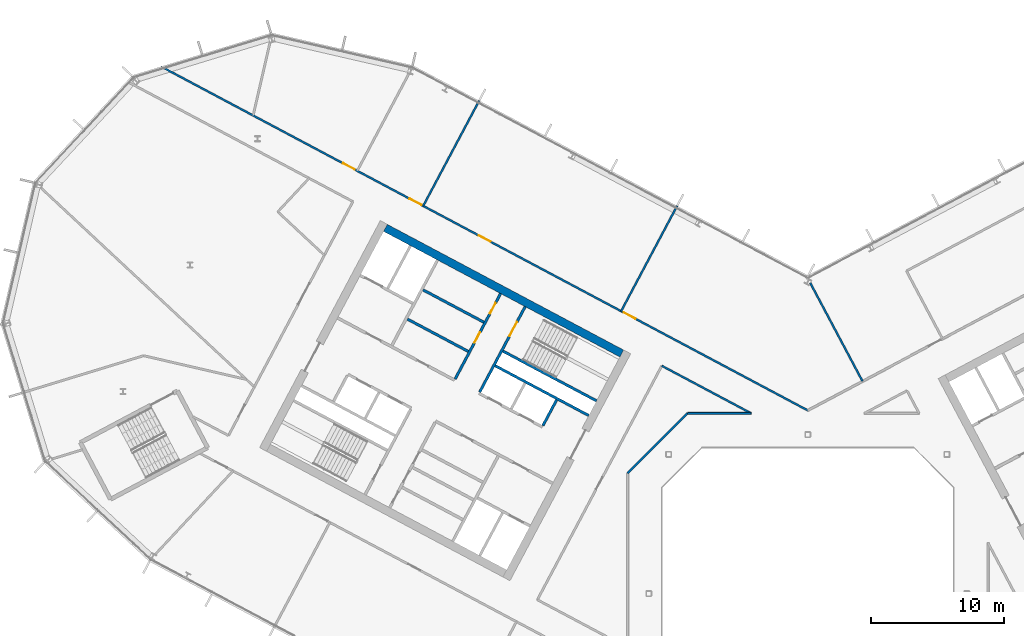
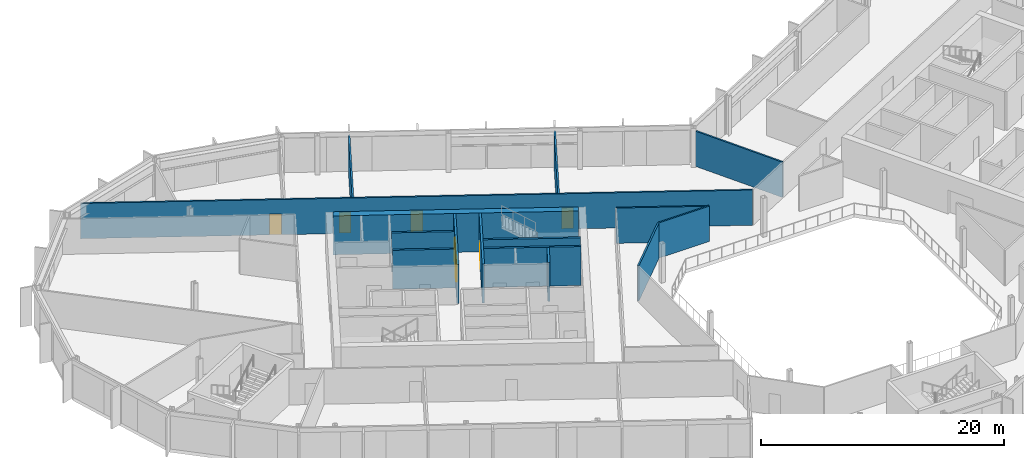
# One storey, part 15 of 27: 15 walls, 7 doors, 7 openings.
"""IFC4 building model written with IfcOpenShell, lengths in metres."""

from ifc_helpers import new_model, si_unit, direction, frame, frame_2d, origin, place, context, subcontext, project, spatial, rectangle, extrude, material, layer, layer_set, type_object, element, fill, save


model = new_model("IFC4")

# Units and contexts
model_context = context("Model", 3, precision=1e-05, world=origin(), true_north=direction((0.0, 1.0)))
body_context = subcontext(model_context, "Body", "Model", "MODEL_VIEW")
ifc_project = project(units=[si_unit("LENGTHUNIT", "METRE"), si_unit("AREAUNIT", "SQUARE_METRE"), si_unit("VOLUMEUNIT", "CUBIC_METRE"), si_unit("PLANEANGLEUNIT", "RADIAN"), si_unit("MASSUNIT", "GRAM", prefix="KILO")], contexts=[model_context])

# Site, building, storey
site_placement = place(None, origin())
site = spatial("IfcSite", under=ifc_project, at=site_placement, CompositionType="ELEMENT")
building_placement = place(site_placement, origin())
building = spatial("IfcBuilding", under=site, at=building_placement, Name="Cormorant Relay Tower", CompositionType="ELEMENT")
storey_placement = place(building_placement, frame((0.0, 0.0, 232.5)))
storey = spatial("IfcBuildingStorey", under=building, at=storey_placement, Name="L51", CompositionType="ELEMENT", Elevation=232.5)

# Walls
ifc_material_1 = material(Name="Concrete 40 MPa", Category="concrete")
ifc_layer_1 = layer(ifc_material_1, 0.199951171875)
ifc_layer_set_1 = layer_set([ifc_layer_1], Name="Core internal wall 200")
wall_type_1 = type_object("IfcWallType", Name="Core internal wall 200", PredefinedType="SOLIDWALL", material=ifc_layer_set_1)
wall_1_placement = place(storey_placement, frame((-24.449462890625, 20.474853515625, 0.0), z_axis=(0.0, 0.0, 1.0), x_axis=(-0.882934506056, 0.469496174655, 0.0)))
element("IfcWall", 1, at=wall_1_placement, inside=storey, type_object=wall_type_1, Name="L51 core A shaft and room wall", PredefinedType="SOLIDWALL", context=body_context, shape_type="SweptSolid", body=[
    extrude(rectangle(XDim=5.199951171875, YDim=0.199951171875, at=frame_2d((2.60009765625, 0.0))), origin(), (0.0, 0.0, 1.0), 3.89990234375),
])
ifc_material_2 = material(Name="Concrete 50 MPa", Category="concrete")
ifc_layer_2 = layer(ifc_material_2, 0.199951171875)
ifc_layer_set_2 = layer_set([ifc_layer_2], Name="Core shaft wall 200")
wall_type_2 = type_object("IfcWallType", Name="Core shaft wall 200", PredefinedType="SHEAR", material=ifc_layer_set_2)
wall_2_placement = place(storey_placement, frame((-18.959716796875, 14.611328125, 0.0), z_axis=(0.0, 0.0, 1.0), x_axis=(-0.4694473164, -0.882960484464, 0.0)))
element("IfcWall", 2, at=wall_2_placement, inside=storey, type_object=wall_type_2, Name="L51 core A shaft wall", PredefinedType="SHEAR", context=body_context, shape_type="SweptSolid", body=[
    extrude(rectangle(XDim=2.199951171875, YDim=0.199951171875, at=frame_2d((1.10009765625, 0.0))), origin(), (0.0, 0.0, 1.0), 3.89990234375),
])

# Wall, opening, door
wall_3_placement = place(storey_placement, frame((-21.333251953125, 21.6494140625, 0.0), z_axis=(0.0, 0.0, 1.0), x_axis=(-0.469494272526, -0.882935517501, 0.0)))
wall_3 = element("IfcWall", 3, at=wall_3_placement, inside=storey, type_object=wall_type_2, Name="L51 core A shaft wall", PredefinedType="SHEAR", context=body_context, shape_type="SweptSolid", body=[
    extrude(rectangle(XDim=7.2998046875, YDim=0.199951171875, at=frame_2d((3.64990234375, 0.0))), origin(), (0.0, 0.0, 1.0), 3.89990234375),
])
opening_1_placement = place(wall_3_placement, frame((1.300048828125, 0.0, 0.0)))
opening_1 = element("IfcOpeningElement", 4, at=opening_1_placement, cuts=wall_3, Name="Opening CDB-038", PredefinedType="OPENING", context=body_context, shape_type="SweptSolid", body=[
    extrude(rectangle(XDim=1.199951171875, YDim=2.10009765625, at=frame_2d((0.60009765625, 1.050048828125))), frame((0.0, 0.10986328125, 0.0), z_axis=(0.0, -1.0, 0.0), x_axis=(1.0, 0.0, 0.0)), (0.0, 0.0, 1.0), 0.219970703125),
])
ifc_material_3 = material(Name="Steel fire door", Category="steel")
door_type_1 = type_object("IfcDoorType", Name="Core stair door 1200x2100", OperationType="SINGLE_SWING_LEFT", PredefinedType="DOOR", material=ifc_material_3)
door_1_placement = place(opening_1_placement, origin())
door_1 = element("IfcDoor", 5, at=door_1_placement, inside=storey, type_object=door_type_1, Name="Core stair door 1200x2100", OperationType="SINGLE_SWING_RIGHT", OverallHeight=2.10009765625, OverallWidth=1.199951171875, PredefinedType="DOOR", context=body_context, shape_type="SweptSolid", body=[
    extrude(rectangle(XDim=1.199951171875, YDim=2.10009765625, at=frame_2d((0.60009765625, 1.050048828125))), frame((0.0, 0.02490234375, 0.0), z_axis=(0.0, -1.0, 0.0), x_axis=(1.0, 0.0, 0.0)), (0.0, 0.0, 1.0), 0.050048828125),
])
fill(opening_1, door_1)

# Wall, openings, doors
wall_4_placement = place(storey_placement, frame((-23.1875, 22.635498046875, 0.0), z_axis=(0.0, 0.0, 1.0), x_axis=(-0.469454336211, -0.882956752176, 0.0)))
wall_4 = element("IfcWall", 6, at=wall_4_placement, inside=storey, type_object=wall_type_2, Name="L51 core A shaft wall", PredefinedType="SHEAR", context=body_context, shape_type="SweptSolid", body=[
    extrude(rectangle(XDim=7.300048828125, YDim=0.199951171875, at=frame_2d((3.64990234375, 0.0))), origin(), (0.0, 0.0, 1.0), 3.89990234375),
])
opening_2_placement = place(wall_4_placement, frame((0.800048828125, 0.0, 0.0)))
opening_2 = element("IfcOpeningElement", 7, at=opening_2_placement, cuts=wall_4, Name="Opening CDD-281", PredefinedType="OPENING", context=body_context, shape_type="SweptSolid", body=[
    extrude(rectangle(XDim=0.89990234375, YDim=2.10009765625, at=frame_2d((0.449951171875, 1.050048828125))), frame((0.0, 0.10986328125, 0.0), z_axis=(0.0, -1.0, 0.0), x_axis=(1.0, 0.0, 0.0)), (0.0, 0.0, 1.0), 0.219970703125),
])
opening_3_placement = place(wall_4_placement, frame((3.300048828125, 0.0, 0.0)))
opening_3 = element("IfcOpeningElement", 8, at=opening_3_placement, cuts=wall_4, Name="Opening CDD-282", PredefinedType="OPENING", context=body_context, shape_type="SweptSolid", body=[
    extrude(rectangle(XDim=0.89990234375, YDim=2.10009765625, at=frame_2d((0.449951171875, 1.050048828125))), frame((0.0, 0.10986328125, 0.0), z_axis=(0.0, -1.0, 0.0), x_axis=(1.0, 0.0, 0.0)), (0.0, 0.0, 1.0), 0.219970703125),
])
ifc_material_4 = material(Name="Steel fire door", Category="steel")
door_type_2 = type_object("IfcDoorType", Name="Core room door 900x2100", OperationType="SINGLE_SWING_LEFT", PredefinedType="DOOR", material=ifc_material_4)
door_2_placement = place(opening_2_placement, origin())
door_2 = element("IfcDoor", 9, at=door_2_placement, inside=storey, type_object=door_type_2, Name="Core room door 900x2100", OperationType="SINGLE_SWING_LEFT", OverallHeight=2.10009765625, OverallWidth=0.89990234375, PredefinedType="DOOR", context=body_context, shape_type="SweptSolid", body=[
    extrude(rectangle(XDim=0.89990234375, YDim=2.10009765625, at=frame_2d((0.449951171875, 1.050048828125))), frame((0.0, 0.02490234375, 0.0), z_axis=(0.0, -1.0, 0.0), x_axis=(1.0, 0.0, 0.0)), (0.0, 0.0, 1.0), 0.050048828125),
])
fill(opening_2, door_2)
door_3_placement = place(opening_3_placement, origin())
door_3 = element("IfcDoor", 10, at=door_3_placement, inside=storey, type_object=door_type_2, Name="Core room door 900x2100", OperationType="SINGLE_SWING_LEFT", OverallHeight=2.10009765625, OverallWidth=0.89990234375, PredefinedType="DOOR", context=body_context, shape_type="SweptSolid", body=[
    extrude(rectangle(XDim=0.89990234375, YDim=2.10009765625, at=frame_2d((0.449951171875, 1.050048828125))), frame((0.0, 0.02490234375, 0.0), z_axis=(0.0, -1.0, 0.0), x_axis=(1.0, 0.0, 0.0)), (0.0, 0.0, 1.0), 0.050048828125),
])
fill(opening_3, door_3)

# Walls
wall_5_placement = place(storey_placement, frame((-15.94189453125, 14.53564453125, 0.0), z_axis=(0.0, 0.0, 1.0), x_axis=(-0.882946947542, 0.469472776449, 0.0)))
element("IfcWall", 11, at=wall_5_placement, inside=storey, type_object=wall_type_2, Name="L51 core A shaft wall", PredefinedType="SHEAR", context=body_context, shape_type="SweptSolid", body=[
    extrude(rectangle(XDim=8.000244140625, YDim=0.199951171875, at=frame_2d((4.0, 0.0))), origin(), (0.0, 0.0, 1.0), 3.89990234375),
])
wall_6_placement = place(storey_placement, frame((-16.52880859375, 13.43212890625, 0.0), z_axis=(0.0, 0.0, 1.0), x_axis=(-0.88295287151, 0.469461634952, 0.0)))
element("IfcWall", 12, at=wall_6_placement, inside=storey, type_object=wall_type_2, Name="L51 core A shaft wall", PredefinedType="SHEAR", context=body_context, shape_type="SweptSolid", body=[
    extrude(rectangle(XDim=7.999755859375, YDim=0.199951171875, at=frame_2d((4.0, 0.0))), origin(), (0.0, 0.0, 1.0), 3.89990234375),
])
wall_7_placement = place(storey_placement, frame((-25.623046875, 18.267578125, 0.0), z_axis=(0.0, 0.0, 1.0), x_axis=(-0.882953967957, 0.469459572775, 0.0)))
element("IfcWall", 13, at=wall_7_placement, inside=storey, type_object=wall_type_2, Name="L51 core A shaft wall", PredefinedType="SHEAR", context=body_context, shape_type="SweptSolid", body=[
    extrude(rectangle(XDim=5.199951171875, YDim=0.199951171875, at=frame_2d((2.60009765625, 0.0))), origin(), (0.0, 0.0, 1.0), 3.89990234375),
])
ifc_material_5 = material(Name="Concrete 50 MPa", Category="concrete")
ifc_layer_3 = layer(ifc_material_5, 0.60009765625)
ifc_layer_set_3 = layer_set([ifc_layer_3], Name="Core wall 600")
wall_type_3 = type_object("IfcWallType", Name="Core wall 600", PredefinedType="SHEAR", material=ifc_layer_set_3)
wall_8_placement = place(storey_placement, frame((-14.04052734375, 18.111572265625, 0.0), z_axis=(0.0, 0.0, 1.0), x_axis=(-0.882947755831, 0.46947125628, 0.0)))
element("IfcWall", 14, at=wall_8_placement, inside=storey, type_object=wall_type_3, Name="L51 core A wall", PredefinedType="SHEAR", context=body_context, shape_type="SweptSolid", body=[
    extrude(rectangle(XDim=20.2001953125, YDim=0.60009765625, at=frame_2d((10.10009765625, 0.0))), origin(), (0.0, 0.0, 1.0), 3.89990234375),
])

# Wall, openings, doors
ifc_material_6 = material(Name="Gypsum board fire partition")
ifc_layer_4 = layer(ifc_material_6, 0.14990234375)
ifc_layer_set_4 = layer_set([ifc_layer_4], Name="Corridor partition 150 EI 60")
wall_type_4 = type_object("IfcWallType", Name="Corridor partition 150 EI 60", PredefinedType="PARTITIONING", material=ifc_layer_set_4)
wall_9_placement = place(storey_placement, frame((-48.81201171875, 39.77099609375, 0.0), z_axis=(0.0, 0.0, 1.0), x_axis=(0.882945384259, -0.469475716535, 0.0)))
wall_9 = element("IfcWall", 15, at=wall_9_placement, inside=storey, type_object=wall_type_4, Name="wall/L51/part/011", PredefinedType="PARTITIONING", context=body_context, shape_type="SweptSolid", body=[
    extrude(rectangle(XDim=55.283203125, YDim=0.14990234375, at=frame_2d((27.6416015625, 0.0))), origin(), (0.0, 0.0, 1.0), 3.5400390625),
])
opening_4_placement = place(wall_9_placement, frame((39.550048828125, 0.0, 0.0)))
opening_4 = element("IfcOpeningElement", 16, at=opening_4_placement, cuts=wall_9, Name="Opening DS-161", PredefinedType="OPENING", context=body_context, shape_type="SweptSolid", body=[
    extrude(rectangle(XDim=1.0, YDim=2.10009765625, at=frame_2d((0.5, 1.050048828125))), frame((0.0, 0.0849609375, 0.0), z_axis=(0.0, -1.0, 0.0), x_axis=(1.0, 0.0, 0.0)), (0.0, 0.0, 1.0), 0.169921875),
])
opening_5_placement = place(wall_9_placement, frame((27.14990234375, 0.0, 0.0)))
opening_5 = element("IfcOpeningElement", 17, at=opening_5_placement, cuts=wall_9, Name="Opening DS-162", PredefinedType="OPENING", context=body_context, shape_type="SweptSolid", body=[
    extrude(rectangle(XDim=1.0, YDim=2.10009765625, at=frame_2d((0.5, 1.050048828125))), frame((0.0, 0.0849609375, 0.0), z_axis=(0.0, -1.0, 0.0), x_axis=(1.0, 0.0, 0.0)), (0.0, 0.0, 1.0), 0.169921875),
])
opening_6_placement = place(wall_9_placement, frame((21.25, 0.0, 0.0)))
opening_6 = element("IfcOpeningElement", 18, at=opening_6_placement, cuts=wall_9, Name="Opening DS-163", PredefinedType="OPENING", context=body_context, shape_type="SweptSolid", body=[
    extrude(rectangle(XDim=1.0, YDim=2.10009765625, at=frame_2d((0.5, 1.050048828125))), frame((0.0, 0.0849609375, 0.0), z_axis=(0.0, -1.0, 0.0), x_axis=(1.0, 0.0, 0.0)), (0.0, 0.0, 1.0), 0.169921875),
])
opening_7_placement = place(wall_9_placement, frame((15.550048828125, 0.0, 0.0)))
opening_7 = element("IfcOpeningElement", 19, at=opening_7_placement, cuts=wall_9, Name="Opening DS-164", PredefinedType="OPENING", context=body_context, shape_type="SweptSolid", body=[
    extrude(rectangle(XDim=1.0, YDim=2.10009765625, at=frame_2d((0.5, 1.050048828125))), frame((0.0, 0.0849609375, 0.0), z_axis=(0.0, -1.0, 0.0), x_axis=(1.0, 0.0, 0.0)), (0.0, 0.0, 1.0), 0.169921875),
])
ifc_material_7 = material(Name="Timber door leaf", Category="wood")
door_type_3 = type_object("IfcDoorType", Name="Suite door 1000x2100", OperationType="SINGLE_SWING_LEFT", PredefinedType="DOOR", material=ifc_material_7)
door_4_placement = place(opening_4_placement, origin())
door_4 = element("IfcDoor", 20, at=door_4_placement, inside=storey, type_object=door_type_3, Name="door/L51/015", OperationType="SINGLE_SWING_LEFT", OverallHeight=2.10009765625, OverallWidth=1.0, PredefinedType="DOOR", context=body_context, shape_type="SweptSolid", body=[
    extrude(rectangle(XDim=1.0, YDim=2.10009765625, at=frame_2d((0.5, 1.050048828125))), frame((0.0, 0.02490234375, 0.0), z_axis=(0.0, -1.0, 0.0), x_axis=(1.0, 0.0, 0.0)), (0.0, 0.0, 1.0), 0.050048828125),
])
fill(opening_4, door_4)
door_5_placement = place(opening_5_placement, origin())
door_5 = element("IfcDoor", 21, at=door_5_placement, inside=storey, type_object=door_type_3, Name="door/L51/016", OperationType="SINGLE_SWING_RIGHT", OverallHeight=2.10009765625, OverallWidth=1.0, PredefinedType="DOOR", context=body_context, shape_type="SweptSolid", body=[
    extrude(rectangle(XDim=1.0, YDim=2.10009765625, at=frame_2d((0.5, 1.050048828125))), frame((0.0, 0.02490234375, 0.0), z_axis=(0.0, -1.0, 0.0), x_axis=(1.0, 0.0, 0.0)), (0.0, 0.0, 1.0), 0.050048828125),
])
fill(opening_5, door_5)
door_6_placement = place(opening_6_placement, origin())
door_6 = element("IfcDoor", 22, at=door_6_placement, inside=storey, type_object=door_type_3, Name="door/L51/017", OperationType="SINGLE_SWING_RIGHT", OverallHeight=2.10009765625, OverallWidth=1.0, PredefinedType="DOOR", context=body_context, shape_type="SweptSolid", body=[
    extrude(rectangle(XDim=1.0, YDim=2.10009765625, at=frame_2d((0.5, 1.050048828125))), frame((0.0, 0.02490234375, 0.0), z_axis=(0.0, -1.0, 0.0), x_axis=(1.0, 0.0, 0.0)), (0.0, 0.0, 1.0), 0.050048828125),
])
fill(opening_6, door_6)
door_7_placement = place(opening_7_placement, origin())
door_7 = element("IfcDoor", 23, at=door_7_placement, inside=storey, type_object=door_type_3, Name="door/L51/018", OperationType="SINGLE_SWING_RIGHT", OverallHeight=2.10009765625, OverallWidth=1.0, PredefinedType="DOOR", context=body_context, shape_type="SweptSolid", body=[
    extrude(rectangle(XDim=1.0, YDim=2.10009765625, at=frame_2d((0.5, 1.050048828125))), frame((0.0, 0.02490234375, 0.0), z_axis=(0.0, -1.0, 0.0), x_axis=(1.0, 0.0, 0.0)), (0.0, 0.0, 1.0), 0.050048828125),
])
fill(opening_7, door_7)

# Walls
wall_10_placement = place(storey_placement, frame((-11.02197265625, 17.18603515625, 0.0), z_axis=(0.0, 0.0, 1.0), x_axis=(0.882967947403, -0.469433279453, 0.0)))
element("IfcWall", 24, at=wall_10_placement, inside=storey, type_object=wall_type_4, Name="wall/L51/part/043", PredefinedType="PARTITIONING", context=body_context, shape_type="SweptSolid", body=[
    extrude(rectangle(XDim=7.638916015625, YDim=0.14990234375, at=frame_2d((3.8193359375, 0.0))), origin(), (0.0, 0.0, 1.0), 3.5400390625),
])
wall_11_placement = place(storey_placement, frame((-4.277099609375, 13.60009765625, 0.0), z_axis=(0.0, 0.0, 1.0), x_axis=(-1.0, 0.0, 0.0)))
element("IfcWall", 25, at=wall_11_placement, inside=storey, type_object=wall_type_4, Name="wall/L51/part/044", PredefinedType="PARTITIONING", context=body_context, shape_type="SweptSolid", body=[
    extrude(rectangle(XDim=4.7998046875, YDim=0.14990234375, at=frame_2d((2.39990234375, 0.0))), origin(), (0.0, 0.0, 1.0), 3.5400390625),
])
wall_12_placement = place(storey_placement, frame((-9.076904296875, 13.60009765625, 0.0), z_axis=(0.0, 0.0, 1.0), x_axis=(-0.707106781187, -0.707106781187, 0.0)))
element("IfcWall", 26, at=wall_12_placement, inside=storey, type_object=wall_type_4, Name="wall/L51/part/045", PredefinedType="PARTITIONING", context=body_context, shape_type="SweptSolid", body=[
    extrude(rectangle(XDim=6.396728515625, YDim=0.14990234375, at=frame_2d((3.1982421875, 0.0))), origin(), (0.0, 0.0, 1.0), 3.5400390625),
])
ifc_material_8 = material(Name="Gypsum board partition")
ifc_layer_5 = layer(ifc_material_8, 0.14990234375)
ifc_layer_set_5 = layer_set([ifc_layer_5], Name="Tenant partition 150")
wall_type_5 = type_object("IfcWallType", Name="Tenant partition 150", PredefinedType="PARTITIONING", material=ifc_layer_set_5)
wall_13_placement = place(storey_placement, frame((-24.800048828125, 37.197021484375, 0.0), z_axis=(0.0, 0.0, 1.0), x_axis=(-0.469544588835, -0.882908760346, 0.0)))
element("IfcWall", 27, at=wall_13_placement, inside=storey, type_object=wall_type_5, Name="wall/L51/part/020", PredefinedType="PARTITIONING", context=body_context, shape_type="SweptSolid", body=[
    extrude(rectangle(XDim=8.999755859375, YDim=0.14990234375, at=frame_2d((4.5, 0.0))), origin(), (0.0, 0.0, 1.0), 3.5400390625),
])
wall_14_placement = place(storey_placement, frame((-9.864013671875, 29.2548828125, 0.0), z_axis=(0.0, 0.0, 1.0), x_axis=(-0.469492391546, -0.882936517696, 0.0)))
element("IfcWall", 28, at=wall_14_placement, inside=storey, type_object=wall_type_5, Name="wall/L51/part/022", PredefinedType="PARTITIONING", context=body_context, shape_type="SweptSolid", body=[
    extrude(rectangle(XDim=8.999267578125, YDim=0.14990234375, at=frame_2d((4.49951171875, 0.0))), origin(), (0.0, 0.0, 1.0), 3.5400390625),
])
wall_15_placement = place(storey_placement, frame((0.18310546875, 23.43994140625, 0.0), z_axis=(0.0, 0.0, 1.0), x_axis=(0.469426169657, -0.882971727317, 0.0)))
element("IfcWall", 29, at=wall_15_placement, inside=storey, type_object=wall_type_5, Name="wall/L51/part/024", PredefinedType="PARTITIONING", context=body_context, shape_type="SweptSolid", body=[
    extrude(rectangle(XDim=8.41015625, YDim=0.14990234375, at=frame_2d((4.205078125, 0.0))), origin(), (0.0, 0.0, 1.0), 3.5400390625),
])

save(model, "model.ifc")
